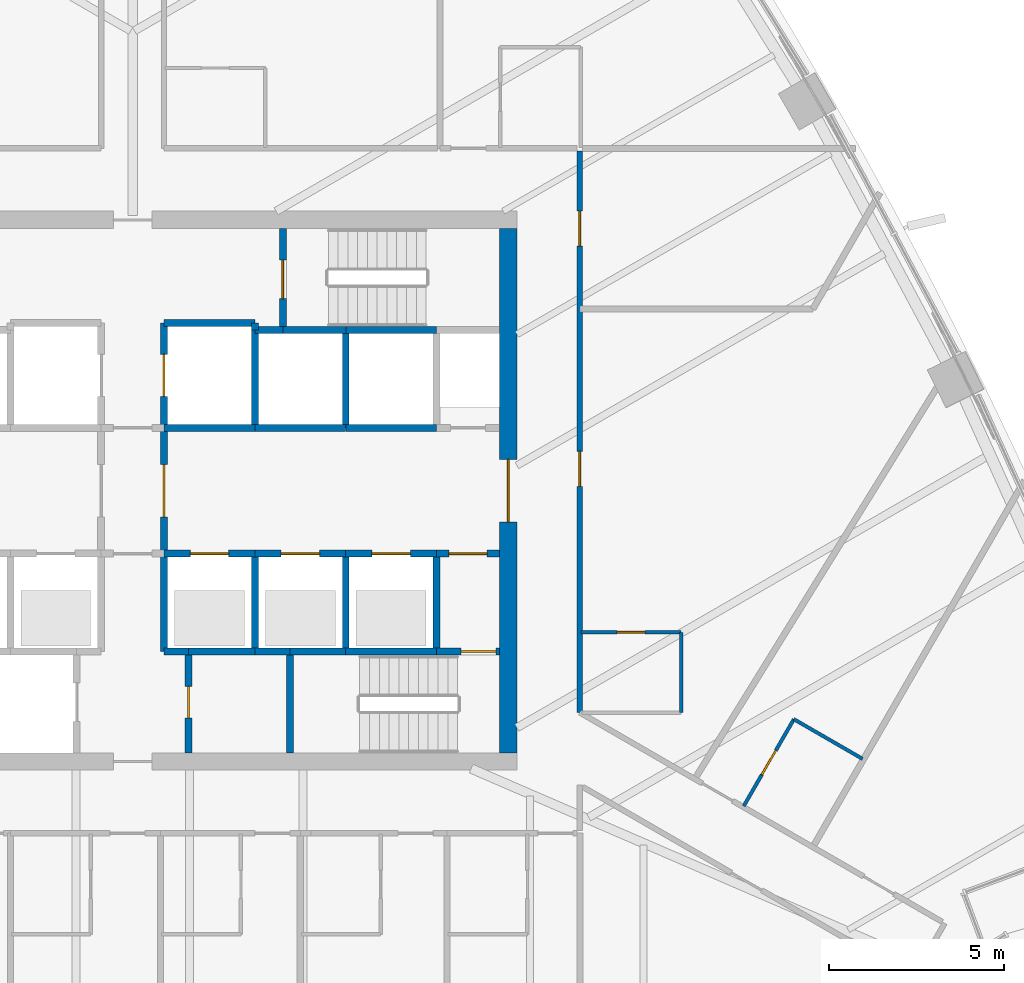
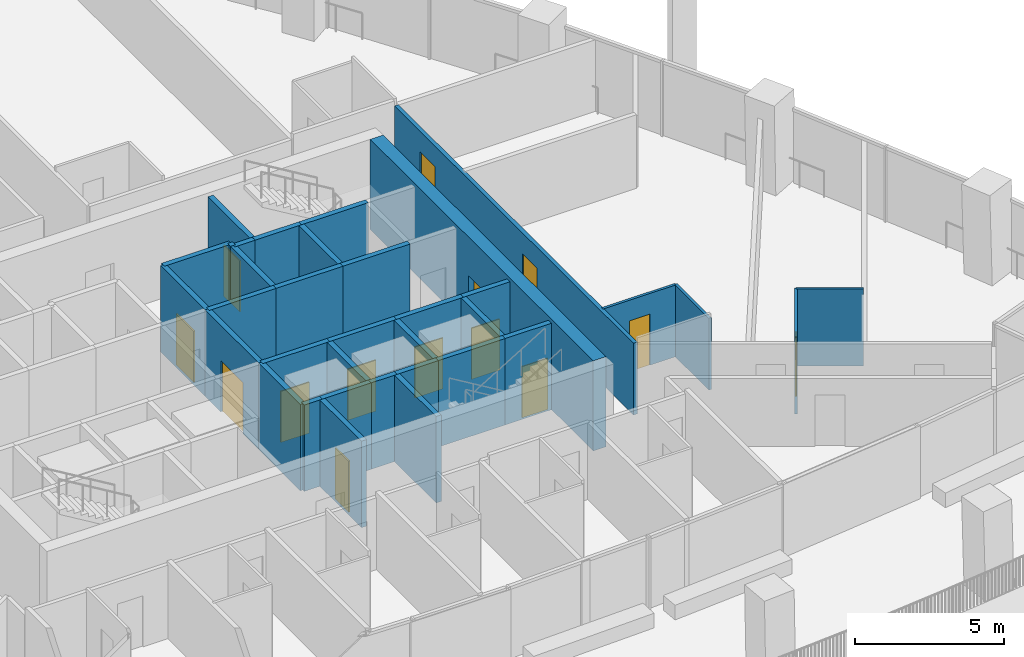
# One storey, part 13 of 25: 35 walls, 14 doors, 14 openings.
"""IFC4 building model written with IfcOpenShell, lengths in metres."""

import ifcopenshell
import ifcopenshell.guid

model = None  # the IFC model being written
_history = None  # IfcOwnerHistory: only IFC2X3 demands one
_inside = {}  # id of a spatial element -> (the spatial element, [elements in it])
_under = {}  # id of a project, library or spatial element -> (it, [spatial elements below it])
_declared = {}  # id of a project -> (the project, [libraries it declares])
_typed = {}  # id of a type object -> (the type object, [elements of that type])
_made_of = {}  # id of a material, layer set ... -> (it, [elements and type objects made of it])


def new_model(schema):
    """Start an empty IFC model of exactly this schema.

    Asked for "IFC4X3", IfcOpenShell would pick the latest addendum, in which some entities
    have other attributes; the version numbers below select the first issue.
    IFC2X3 requires an IfcOwnerHistory on every rooted entity: one is made here for all.
    """
    global model, _history
    if schema == "IFC4X3":
        model = ifcopenshell.file(schema_version=(4, 3, 0, 0))
    else:
        model = ifcopenshell.file(schema=schema)
    _inside.clear()
    _under.clear()
    _declared.clear()
    _typed.clear()
    _made_of.clear()
    _history = None
    if model.schema == "IFC2X3":
        org = make("IfcOrganization", Name="unknown")
        user = make(
            "IfcPersonAndOrganization",
            ThePerson=make("IfcPerson", FamilyName="unknown"),
            TheOrganization=org,
        )
        app = make(
            "IfcApplication",
            ApplicationDeveloper=org,
            Version="unknown",
            ApplicationFullName="unknown",
            ApplicationIdentifier="unknown",
        )
        _history = make(
            "IfcOwnerHistory",
            OwningUser=user,
            OwningApplication=app,
            ChangeAction="ADDED",
            CreationDate=0,
        )
    return model


def make(cls, **values):
    """One entity of the class cls with the attributes given. An attribute that is None is left unset."""
    return model.create_entity(
        cls, **{name: value for name, value in values.items() if value is not None}
    )


def rooted(cls, **values):
    """An entity with a GlobalId (a new one), such as an element, a storey or a relation."""
    return make(cls, GlobalId=ifcopenshell.guid.new(), OwnerHistory=_history, **values)


def si_unit(unit_type, name, prefix=None):
    """IfcSIUnit, for example si_unit("LENGTHUNIT", "METRE", prefix="MILLI")."""
    return make("IfcSIUnit", UnitType=unit_type, Prefix=prefix, Name=name)


def assignment(units):
    """IfcUnitAssignment: the units of a project."""
    return None if units is None else make("IfcUnitAssignment", Units=units)


def point(xyz):
    """IfcCartesianPoint."""
    return None if xyz is None else make("IfcCartesianPoint", Coordinates=xyz)


def direction(xyz):
    """IfcDirection."""
    return None if xyz is None else make("IfcDirection", DirectionRatios=xyz)


def frame(location, z_axis=None, x_axis=None):
    """IfcAxis2Placement3D, a coordinate frame: its origin and axes. An axis left out is left unset."""
    return make(
        "IfcAxis2Placement3D",
        Location=point(location),
        Axis=direction(z_axis),
        RefDirection=direction(x_axis),
    )


def frame_2d(location, x_axis=None):
    """IfcAxis2Placement2D, a coordinate frame in the plane: its origin and x axis."""
    return make(
        "IfcAxis2Placement2D", Location=point(location), RefDirection=direction(x_axis)
    )


def origin():
    """The frame at (0, 0, 0) with its axes left unset."""
    return frame((0.0, 0.0, 0.0))


def place(relative_to, where):
    """IfcLocalPlacement: puts the frame where relative to a parent placement (None: the world)."""
    return make(
        "IfcLocalPlacement", PlacementRelTo=relative_to, RelativePlacement=where
    )


def context(
    kind, dimensions, precision=None, world=None, true_north=None, identifier=None
):
    """IfcGeometricRepresentationContext, for example the 3D "Model" context."""
    return make(
        "IfcGeometricRepresentationContext",
        ContextIdentifier=identifier,
        ContextType=kind,
        CoordinateSpaceDimension=dimensions,
        Precision=precision,
        WorldCoordinateSystem=world,
        TrueNorth=true_north,
    )


def subcontext(parent, identifier, kind, view, scale=None):
    """IfcGeometricRepresentationSubContext, for example "Body" below "Model"."""
    return make(
        "IfcGeometricRepresentationSubContext",
        ContextIdentifier=identifier,
        ContextType=kind,
        ParentContext=parent,
        TargetScale=scale,
        TargetView=view,
    )


def project(units=None, contexts=None):
    """IfcProject with its units and contexts."""
    return rooted(
        "IfcProject",
        Name="project",
        RepresentationContexts=contexts,
        UnitsInContext=assignment(units),
    )


def spatial(cls, under=None, at=None, **own):
    """A site, building, storey or space (cls), placed at a placement, below another one or the project."""
    s = rooted(cls, ObjectPlacement=at, **own)
    if under is not None:
        _under.setdefault(under.id(), (under, []))[1].append(s)
    return s


def profile(cls, at=None, kind="AREA", **sizes):
    """A parametric profile (cls). Its sizes go by their IFC names, for example OverallWidth=200.0."""
    return make(cls, ProfileType=kind, Position=at, **sizes)


def rectangle(**sizes):
    """IfcRectangleProfileDef."""
    return profile("IfcRectangleProfileDef", **sizes)


def extrude(swept, where, along, depth):
    """IfcExtrudedAreaSolid: the profile swept, set in the frame where, extruded along a direction by depth."""
    return make(
        "IfcExtrudedAreaSolid",
        SweptArea=swept,
        Position=where,
        ExtrudedDirection=direction(along),
        Depth=depth,
    )


def shape(context_of_items, identifier, shape_type, items):
    """IfcShapeRepresentation: the items that make up one representation, for example the "Body"."""
    return make(
        "IfcShapeRepresentation",
        ContextOfItems=context_of_items,
        RepresentationIdentifier=identifier,
        RepresentationType=shape_type,
        Items=items,
    )


def material(Name=None, Category=None):
    """IfcMaterial."""
    return make("IfcMaterial", Name=Name, Category=Category)


def layer(
    of_material, thickness, ventilated=None, Name=None, Category=None, Priority=None
):
    """IfcMaterialLayer: one layer of a wall or slab, of a material (None: an air gap)."""
    return make(
        "IfcMaterialLayer",
        Material=of_material,
        LayerThickness=thickness,
        IsVentilated=ventilated,
        Name=Name,
        Category=Category,
        Priority=Priority,
    )


def layer_set(layers, Name=None):
    """IfcMaterialLayerSet."""
    return make("IfcMaterialLayerSet", MaterialLayers=layers, LayerSetName=Name)


def made_of(thing, what):
    """Note that an element or type object is made of a material, layer set ...; save() writes the relation."""
    if what is not None:
        _made_of.setdefault(what.id(), (what, []))[1].append(thing)
    return thing


def type_object(cls, material=None, **own):
    """A type object (cls), such as IfcWallType, which elements share."""
    return made_of(rooted(cls, **own), material)


def element(
    cls,
    number,
    at=None,
    inside=None,
    cuts=None,
    type_object=None,
    material=None,
    context=None,
    identifier="Body",
    shape_type=None,
    held_by="IfcProductDefinitionShape",
    body=None,
    shapes=None,
    **own,
):
    """One element of the class cls, such as IfcWall. Its Tag is "e" and its number.

    at: its placement. inside: the storey or other place that contains it. cuts: it is an
    opening in that element (IfcRelVoidsElement). A single representation is given by context,
    identifier, shape_type and body (its items); several are given by shapes. held_by: the class
    of the entity that holds the representations. save() writes the other relations.
    """
    e = rooted(cls, Tag="e%d" % number, ObjectPlacement=at, **own)
    if body is not None:
        shapes = [shape(context, identifier, shape_type, body)]
    if shapes is not None:
        e.Representation = make(held_by, Representations=shapes)
    if inside is not None:
        _inside.setdefault(inside.id(), (inside, []))[1].append(e)
    if cuts is not None:
        rooted(
            "IfcRelVoidsElement", RelatingBuildingElement=cuts, RelatedOpeningElement=e
        )
    if type_object is not None:
        _typed.setdefault(type_object.id(), (type_object, []))[1].append(e)
    return made_of(e, material)


def fill(opening, filler):
    """IfcRelFillsElement: the door or window that sits in an opening."""
    return rooted(
        "IfcRelFillsElement",
        RelatingOpeningElement=opening,
        RelatedBuildingElement=filler,
    )


def aggregate(whole, parts):
    """IfcRelAggregates: a whole, such as a stair, and the parts it consists of."""
    return rooted("IfcRelAggregates", RelatingObject=whole, RelatedObjects=parts)


def save(model, path):
    """Write the relations noted so far, then the file.

    IfcRelAggregates (storeys below a building ...), IfcRelContainedInSpatialStructure (elements
    in a storey), IfcRelDefinesByType, IfcRelAssociatesMaterial and IfcRelDeclares: one each for
    every whole, place, type object, material and project.
    """
    for whole, parts in _under.values():
        aggregate(whole, parts)
    for where, things in _inside.values():
        rooted(
            "IfcRelContainedInSpatialStructure",
            RelatedElements=things,
            RelatingStructure=where,
        )
    for kind, things in _typed.values():
        rooted("IfcRelDefinesByType", RelatedObjects=things, RelatingType=kind)
    for what, things in _made_of.values():
        rooted("IfcRelAssociatesMaterial", RelatedObjects=things, RelatingMaterial=what)
    for by, libraries in _declared.values():
        rooted("IfcRelDeclares", RelatingContext=by, RelatedDefinitions=libraries)
    model.write(path)


model = new_model("IFC4")

# Units and contexts
model_context = context("Model", 3, precision=1e-05, world=origin(), true_north=direction((0.0, 1.0)))
body_context = subcontext(model_context, "Body", "Model", "MODEL_VIEW")
ifc_project = project(units=[si_unit("LENGTHUNIT", "METRE"), si_unit("AREAUNIT", "SQUARE_METRE"), si_unit("VOLUMEUNIT", "CUBIC_METRE"), si_unit("PLANEANGLEUNIT", "RADIAN"), si_unit("MASSUNIT", "GRAM", prefix="KILO")], contexts=[model_context])

# Site, building, storey
site_placement = place(None, origin())
site = spatial("IfcSite", under=ifc_project, at=site_placement, CompositionType="ELEMENT")
building_placement = place(site_placement, origin())
building = spatial("IfcBuilding", under=site, at=building_placement, Name="Sierra Prisma Convention Tower", CompositionType="ELEMENT")
storey_placement = place(building_placement, frame((0.0, 0.0, 88.699951171875)))
storey = spatial("IfcBuildingStorey", under=building, at=storey_placement, Name="L18", CompositionType="ELEMENT", Elevation=88.699951171875)

# Wall, opening, door
ifc_material_1 = material(Name="Gypsum board partition", Category="gypsum")
ifc_layer_1 = layer(ifc_material_1, 0.10009765625)
ifc_layer_set_1 = layer_set([ifc_layer_1], Name="Bathroom partition 100")
wall_type_1 = type_object("IfcWallType", Name="Bathroom partition 100", PredefinedType="PARTITIONING", material=ifc_layer_set_1)
wall_1_placement = place(storey_placement, frame((12.830078125, -4.05078125, 0.0), z_axis=(0.0, 0.0, 1.0), x_axis=(1.0, 0.0, 0.0)))
wall_1 = element("IfcWall", 1, at=wall_1_placement, inside=storey, type_object=wall_type_1, Name="Partition L18 bath 29", PredefinedType="PARTITIONING", context=body_context, shape_type="SweptSolid", body=[
    extrude(rectangle(XDim=2.869873046875, YDim=0.10009765625, at=frame_2d((1.43505859375, 0.0))), origin(), (0.0, 0.0, 1.0), 2.947021484375),
])
opening_1_placement = place(wall_1_placement, frame((1.034912109375, 0.0, 0.0)))
opening_1 = element("IfcOpeningElement", 2, at=opening_1_placement, cuts=wall_1, Name="Opening L18-D004", PredefinedType="OPENING", context=body_context, shape_type="SweptSolid", body=[
    extrude(rectangle(XDim=0.800048828125, YDim=2.10009765625, at=frame_2d((0.39990234375, 1.050048828125))), frame((0.0, 0.050048828125, 0.0), z_axis=(0.0, -1.0, 0.0), x_axis=(1.0, 0.0, 0.0)), (0.0, 0.0, 1.0), 0.10009765625),
])
ifc_material_2 = material(Name="Solid core timber door leaf", Category="wood")
door_type_1 = type_object("IfcDoorType", Name="Door 800x2100 plain", OperationType="SINGLE_SWING_LEFT", PredefinedType="DOOR", material=ifc_material_2)
door_1_placement = place(opening_1_placement, origin())
door_1 = element("IfcDoor", 3, at=door_1_placement, inside=storey, type_object=door_type_1, Name="Door L18 2", OperationType="SINGLE_SWING_RIGHT", OverallHeight=2.10009765625, OverallWidth=0.800048828125, PredefinedType="DOOR", context=body_context, shape_type="SweptSolid", body=[
    extrude(rectangle(XDim=0.800048828125, YDim=2.10009765625, at=frame_2d((0.39990234375, 1.050048828125))), frame((0.0, 0.02490234375, 0.0), z_axis=(0.0, -1.0, 0.0), x_axis=(1.0, 0.0, 0.0)), (0.0, 0.0, 1.0), 0.050048828125),
])
fill(opening_1, door_1)

# Wall
wall_2_placement = place(storey_placement, frame((15.699951171875, -4.05078125, 0.0), z_axis=(0.0, 0.0, 1.0), x_axis=(0.0, -1.0, 0.0)))
element("IfcWall", 4, at=wall_2_placement, inside=storey, type_object=wall_type_1, Name="Partition L18 bath 30", PredefinedType="PARTITIONING", context=body_context, shape_type="SweptSolid", body=[
    extrude(rectangle(XDim=2.300048828125, YDim=0.10009765625, at=frame_2d((1.14990234375, 0.0))), origin(), (0.0, 0.0, 1.0), 2.947021484375),
])

# Wall, opening, door
wall_3_placement = place(storey_placement, frame((17.491455078125, -9.02490234375, 0.0), z_axis=(0.0, 0.0, 1.0), x_axis=(0.499999802827, 0.866025517622, 0.0)))
wall_3 = element("IfcWall", 5, at=wall_3_placement, inside=storey, type_object=wall_type_1, Name="Partition L18 bath 32", PredefinedType="PARTITIONING", context=body_context, shape_type="SweptSolid", body=[
    extrude(rectangle(XDim=2.8701171875, YDim=0.10009765625, at=frame_2d((1.43505859375, 0.0))), origin(), (0.0, 0.0, 1.0), 3.150146484375),
])
opening_2_placement = place(wall_3_placement, frame((1.034912109375, 0.0, 0.0)))
opening_2 = element("IfcOpeningElement", 6, at=opening_2_placement, cuts=wall_3, Name="Opening L18-D018", PredefinedType="OPENING", context=body_context, shape_type="SweptSolid", body=[
    extrude(rectangle(XDim=0.800048828125, YDim=2.10009765625, at=frame_2d((0.39990234375, 1.050048828125))), frame((0.0, 0.050048828125, 0.0), z_axis=(0.0, -1.0, 0.0), x_axis=(1.0, 0.0, 0.0)), (0.0, 0.0, 1.0), 0.10009765625),
])
door_2_placement = place(opening_2_placement, origin())
door_2 = element("IfcDoor", 7, at=door_2_placement, inside=storey, type_object=door_type_1, Name="Door L18 34", OperationType="SINGLE_SWING_RIGHT", OverallHeight=2.10009765625, OverallWidth=0.800048828125, PredefinedType="DOOR", context=body_context, shape_type="SweptSolid", body=[
    extrude(rectangle(XDim=0.800048828125, YDim=2.10009765625, at=frame_2d((0.39990234375, 1.050048828125))), frame((0.0, 0.02490234375, 0.0), z_axis=(0.0, -1.0, 0.0), x_axis=(1.0, 0.0, 0.0)), (0.0, 0.0, 1.0), 0.050048828125),
])
fill(opening_2, door_2)

# Wall
wall_4_placement = place(storey_placement, frame((18.926513671875, -6.539306640625, 0.0), z_axis=(0.0, 0.0, 1.0), x_axis=(0.866017224141, -0.500014167291, 0.0)))
element("IfcWall", 8, at=wall_4_placement, inside=storey, type_object=wall_type_1, Name="Partition L18 bath 33", PredefinedType="PARTITIONING", context=body_context, shape_type="SweptSolid", body=[
    extrude(rectangle(XDim=2.27001953125, YDim=0.10009765625, at=frame_2d((1.135009765625, 0.0))), origin(), (0.0, 0.0, 1.0), 3.150146484375),
])

# Wall, opening, door
ifc_material_3 = material(Name="Concrete C30/37", Category="concrete")
ifc_layer_2 = layer(ifc_material_3, 0.199951171875)
ifc_layer_set_2 = layer_set([ifc_layer_2], Name="Core wall RC 200 C30/37")
wall_type_2 = type_object("IfcWallType", Name="Core wall RC 200 C30/37", PredefinedType="SOLIDWALL", material=ifc_layer_set_2)
wall_5_placement = place(storey_placement, frame((0.89990234375, -1.800048828125, 0.0), z_axis=(0.0, 0.0, 1.0), x_axis=(1.0, 0.0, 0.0)))
wall_5 = element("IfcWall", 9, at=wall_5_placement, inside=storey, type_object=wall_type_2, Name="Core wall L18 35", PredefinedType="SOLIDWALL", context=body_context, shape_type="SweptSolid", body=[
    extrude(rectangle(XDim=2.60009765625, YDim=0.199951171875, at=frame_2d((1.300048828125, 0.0))), origin(), (0.0, 0.0, 1.0), 3.550048828125),
])
opening_3_placement = place(wall_5_placement, frame((0.75, 0.0, 0.0)))
opening_3 = element("IfcOpeningElement", 10, at=opening_3_placement, cuts=wall_5, Name="Opening L18-D022", PredefinedType="OPENING", context=body_context, shape_type="SweptSolid", body=[
    extrude(rectangle(XDim=1.10009765625, YDim=2.10009765625, at=frame_2d((0.550048828125, 1.050048828125))), frame((0.0, 0.10009765625, 0.0), z_axis=(0.0, -1.0, 0.0), x_axis=(1.0, 0.0, 0.0)), (0.0, 0.0, 1.0), 0.199951171875),
])
ifc_material_4 = material(Name="Steel fire door leaf", Category="steel")
door_type_2 = type_object("IfcDoorType", Name="Door 1100x2100 EI 90 sliding lift landing", OperationType="SLIDING_TO_LEFT", PredefinedType="DOOR", material=ifc_material_4)
door_3_placement = place(opening_3_placement, origin())
door_3 = element("IfcDoor", 11, at=door_3_placement, inside=storey, type_object=door_type_2, Name="Door L18 38", OperationType="SLIDING_TO_RIGHT", OverallHeight=2.10009765625, OverallWidth=1.10009765625, PredefinedType="DOOR", context=body_context, shape_type="SweptSolid", body=[
    extrude(rectangle(XDim=1.10009765625, YDim=2.10009765625, at=frame_2d((0.550048828125, 1.050048828125))), frame((0.0, 0.02490234375, 0.0), z_axis=(0.0, -1.0, 0.0), x_axis=(1.0, 0.0, 0.0)), (0.0, 0.0, 1.0), 0.050048828125),
])
fill(opening_3, door_3)

wall_6_placement = place(storey_placement, frame((0.89990234375, -1.800048828125, 0.0), z_axis=(0.0, 0.0, 1.0), x_axis=(0.0, 1.0, 0.0)))
wall_6 = element("IfcWall", 12, at=wall_6_placement, inside=storey, type_object=wall_type_2, Name="Core wall L18 36", PredefinedType="SOLIDWALL", context=body_context, shape_type="SweptSolid", body=[
    extrude(rectangle(XDim=3.60009765625, YDim=0.199951171875, at=frame_2d((1.800048828125, 0.0))), origin(), (0.0, 0.0, 1.0), 3.550048828125),
])
opening_4_placement = place(wall_6_placement, frame((1.050048828125, 0.0, 0.0)))
opening_4 = element("IfcOpeningElement", 13, at=opening_4_placement, cuts=wall_6, Name="Opening L18-D029", PredefinedType="OPENING", context=body_context, shape_type="SweptSolid", body=[
    extrude(rectangle(XDim=1.5, YDim=2.10009765625, at=frame_2d((0.75, 1.050048828125))), frame((0.0, 0.10009765625, 0.0), z_axis=(0.0, -1.0, 0.0), x_axis=(1.0, 0.0, 0.0)), (0.0, 0.0, 1.0), 0.199951171875),
])
ifc_material_5 = material(Name="Steel fire door leaf", Category="steel")
door_type_3 = type_object("IfcDoorType", Name="Door 1500x2100 FD30S", OperationType="DOUBLE_DOOR_SINGLE_SWING", PredefinedType="DOOR", material=ifc_material_5)
door_4_placement = place(opening_4_placement, origin())
door_4 = element("IfcDoor", 14, at=door_4_placement, inside=storey, type_object=door_type_3, Name="Door L18 45", OperationType="DOUBLE_DOOR_SINGLE_SWING", OverallHeight=2.10009765625, OverallWidth=1.5, PredefinedType="DOOR", context=body_context, shape_type="SweptSolid", body=[
    extrude(rectangle(XDim=1.5, YDim=2.10009765625, at=frame_2d((0.75, 1.050048828125))), frame((0.0, 0.02490234375, 0.0), z_axis=(0.0, -1.0, 0.0), x_axis=(1.0, 0.0, 0.0)), (0.0, 0.0, 1.0), 0.050048828125),
])
fill(opening_4, door_4)

# Walls
wall_7_placement = place(storey_placement, frame((0.89990234375, -1.800048828125, 0.0), z_axis=(0.0, 0.0, 1.0), x_axis=(0.0, -1.0, 0.0)))
element("IfcWall", 15, at=wall_7_placement, inside=storey, type_object=wall_type_2, Name="Core wall L18 37", PredefinedType="SOLIDWALL", context=body_context, shape_type="SweptSolid", body=[
    extrude(rectangle(XDim=2.800048828125, YDim=0.199951171875, at=frame_2d((1.39990234375, 0.0))), origin(), (0.0, 0.0, 1.0), 3.550048828125),
])
wall_8_placement = place(storey_placement, frame((0.89990234375, -4.60009765625, 0.0), z_axis=(0.0, 0.0, 1.0), x_axis=(1.0, 0.0, 0.0)))
element("IfcWall", 16, at=wall_8_placement, inside=storey, type_object=wall_type_2, Name="Core wall L18 38", PredefinedType="SOLIDWALL", context=body_context, shape_type="SweptSolid", body=[
    extrude(rectangle(XDim=0.7001953125, YDim=0.199951171875, at=frame_2d((0.35009765625, 0.0))), origin(), (0.0, 0.0, 1.0), 3.550048828125),
])
wall_9_placement = place(storey_placement, frame((3.5, 1.800048828125, 0.0), z_axis=(0.0, 0.0, 1.0), x_axis=(-1.0, 0.0, 0.0)))
element("IfcWall", 17, at=wall_9_placement, inside=storey, type_object=wall_type_2, Name="Core wall L18 39", PredefinedType="SOLIDWALL", context=body_context, shape_type="SweptSolid", body=[
    extrude(rectangle(XDim=2.60009765625, YDim=0.199951171875, at=frame_2d((1.300048828125, 0.0))), origin(), (0.0, 0.0, 1.0), 3.550048828125),
])
wall_10_placement = place(storey_placement, frame((3.5, 4.60009765625, 0.0), z_axis=(0.0, 0.0, 1.0), x_axis=(0.0, 1.0, 0.0)))
element("IfcWall", 18, at=wall_10_placement, inside=storey, type_object=wall_type_2, Name="Core wall L18 40", PredefinedType="SOLIDWALL", context=body_context, shape_type="SweptSolid", body=[
    extrude(rectangle(XDim=0.199951171875, YDim=0.199951171875, at=frame_2d((0.10009765625, 0.0))), origin(), (0.0, 0.0, 1.0), 3.550048828125),
])
wall_11_placement = place(storey_placement, frame((3.5, 4.800048828125, 0.0), z_axis=(0.0, 0.0, 1.0), x_axis=(-1.0, 0.0, 0.0)))
element("IfcWall", 19, at=wall_11_placement, inside=storey, type_object=wall_type_2, Name="Core wall L18 41", PredefinedType="SOLIDWALL", context=body_context, shape_type="SweptSolid", body=[
    extrude(rectangle(XDim=2.60009765625, YDim=0.199951171875, at=frame_2d((1.300048828125, 0.0))), origin(), (0.0, 0.0, 1.0), 3.550048828125),
])

# Wall, opening, door
wall_12_placement = place(storey_placement, frame((0.89990234375, 4.800048828125, 0.0), z_axis=(0.0, 0.0, 1.0), x_axis=(0.0, -1.0, 0.0)))
wall_12 = element("IfcWall", 20, at=wall_12_placement, inside=storey, type_object=wall_type_2, Name="Core wall L18 42", PredefinedType="SOLIDWALL", context=body_context, shape_type="SweptSolid", body=[
    extrude(rectangle(XDim=3.0, YDim=0.199951171875, at=frame_2d((1.5, 0.0))), origin(), (0.0, 0.0, 1.0), 3.550048828125),
])
opening_5_placement = place(wall_12_placement, frame((0.89990234375, 0.0, 0.0)))
opening_5 = element("IfcOpeningElement", 21, at=opening_5_placement, cuts=wall_12, Name="Opening L18-D026", PredefinedType="OPENING", context=body_context, shape_type="SweptSolid", body=[
    extrude(rectangle(XDim=1.199951171875, YDim=2.10009765625, at=frame_2d((0.60009765625, 1.050048828125))), frame((0.0, 0.10009765625, 0.0), z_axis=(0.0, -1.0, 0.0), x_axis=(1.0, 0.0, 0.0)), (0.0, 0.0, 1.0), 0.199951171875),
])
ifc_material_6 = material(Name="Steel fire door leaf", Category="steel")
door_type_4 = type_object("IfcDoorType", Name="Door 1200x2100 EI 90 sliding lift landing", OperationType="SLIDING_TO_LEFT", PredefinedType="DOOR", material=ifc_material_6)
door_5_placement = place(opening_5_placement, origin())
door_5 = element("IfcDoor", 22, at=door_5_placement, inside=storey, type_object=door_type_4, Name="Door L18 42", OperationType="SLIDING_TO_LEFT", OverallHeight=2.10009765625, OverallWidth=1.199951171875, PredefinedType="DOOR", context=body_context, shape_type="SweptSolid", body=[
    extrude(rectangle(XDim=1.199951171875, YDim=2.10009765625, at=frame_2d((0.60009765625, 1.050048828125))), frame((0.0, 0.02490234375, 0.0), z_axis=(0.0, -1.0, 0.0), x_axis=(1.0, 0.0, 0.0)), (0.0, 0.0, 1.0), 0.050048828125),
])
fill(opening_5, door_5)

wall_13_placement = place(storey_placement, frame((1.60009765625, -4.60009765625, 0.0), z_axis=(0.0, 0.0, 1.0), x_axis=(0.0, -1.0, 0.0)))
wall_13 = element("IfcWall", 23, at=wall_13_placement, inside=storey, type_object=wall_type_2, Name="Core wall L18 43", PredefinedType="SOLIDWALL", context=body_context, shape_type="SweptSolid", body=[
    extrude(rectangle(XDim=2.89990234375, YDim=0.199951171875, at=frame_2d((1.449951171875, 0.0))), origin(), (0.0, 0.0, 1.0), 3.550048828125),
])
opening_6_placement = place(wall_13_placement, frame((1.0, 0.0, 0.0)))
opening_6 = element("IfcOpeningElement", 24, at=opening_6_placement, cuts=wall_13, Name="Opening L18-D040", PredefinedType="OPENING", context=body_context, shape_type="SweptSolid", body=[
    extrude(rectangle(XDim=0.89990234375, YDim=2.10009765625, at=frame_2d((0.449951171875, 1.050048828125))), frame((0.0, 0.10009765625, 0.0), z_axis=(0.0, -1.0, 0.0), x_axis=(1.0, 0.0, 0.0)), (0.0, 0.0, 1.0), 0.199951171875),
])
ifc_material_7 = material(Name="Steel fire door leaf", Category="steel")
door_type_5 = type_object("IfcDoorType", Name="Door 900x2100 FD30S", OperationType="SINGLE_SWING_LEFT", PredefinedType="DOOR", material=ifc_material_7)
door_6_placement = place(opening_6_placement, origin())
door_6 = element("IfcDoor", 25, at=door_6_placement, inside=storey, type_object=door_type_5, Name="Door L18 56", OperationType="SINGLE_SWING_RIGHT", OverallHeight=2.10009765625, OverallWidth=0.89990234375, PredefinedType="DOOR", context=body_context, shape_type="SweptSolid", body=[
    extrude(rectangle(XDim=0.89990234375, YDim=2.10009765625, at=frame_2d((0.449951171875, 1.050048828125))), frame((0.0, 0.02490234375, 0.0), z_axis=(0.0, -1.0, 0.0), x_axis=(1.0, 0.0, 0.0)), (0.0, 0.0, 1.0), 0.050048828125),
])
fill(opening_6, door_6)

# Walls
wall_14_placement = place(storey_placement, frame((3.5, -4.60009765625, 0.0), z_axis=(0.0, 0.0, 1.0), x_axis=(-1.0, 0.0, 0.0)))
element("IfcWall", 26, at=wall_14_placement, inside=storey, type_object=wall_type_2, Name="Core wall L18 44", PredefinedType="SOLIDWALL", context=body_context, shape_type="SweptSolid", body=[
    extrude(rectangle(XDim=1.89990234375, YDim=0.199951171875, at=frame_2d((0.949951171875, 0.0))), origin(), (0.0, 0.0, 1.0), 3.550048828125),
])
wall_15_placement = place(storey_placement, frame((4.5, -4.60009765625, 0.0), z_axis=(0.0, 0.0, 1.0), x_axis=(-1.0, 0.0, 0.0)))
element("IfcWall", 27, at=wall_15_placement, inside=storey, type_object=wall_type_2, Name="Core wall L18 45", PredefinedType="SOLIDWALL", context=body_context, shape_type="SweptSolid", body=[
    extrude(rectangle(XDim=1.0, YDim=0.199951171875, at=frame_2d((0.5, 0.0))), origin(), (0.0, 0.0, 1.0), 3.550048828125),
])
wall_16_placement = place(storey_placement, frame((3.5, -4.60009765625, 0.0), z_axis=(0.0, 0.0, 1.0), x_axis=(0.0, 1.0, 0.0)))
element("IfcWall", 28, at=wall_16_placement, inside=storey, type_object=wall_type_2, Name="Core wall L18 46", PredefinedType="SOLIDWALL", context=body_context, shape_type="SweptSolid", body=[
    extrude(rectangle(XDim=2.800048828125, YDim=0.199951171875, at=frame_2d((1.39990234375, 0.0))), origin(), (0.0, 0.0, 1.0), 3.550048828125),
])

# Wall, opening, door
wall_17_placement = place(storey_placement, frame((3.5, -1.800048828125, 0.0), z_axis=(0.0, 0.0, 1.0), x_axis=(1.0, 0.0, 0.0)))
wall_17 = element("IfcWall", 29, at=wall_17_placement, inside=storey, type_object=wall_type_2, Name="Core wall L18 47", PredefinedType="SOLIDWALL", context=body_context, shape_type="SweptSolid", body=[
    extrude(rectangle(XDim=2.60009765625, YDim=0.199951171875, at=frame_2d((1.300048828125, 0.0))), origin(), (0.0, 0.0, 1.0), 3.550048828125),
])
opening_7_placement = place(wall_17_placement, frame((0.75, 0.0, 0.0)))
opening_7 = element("IfcOpeningElement", 30, at=opening_7_placement, cuts=wall_17, Name="Opening L18-D023", PredefinedType="OPENING", context=body_context, shape_type="SweptSolid", body=[
    extrude(rectangle(XDim=1.10009765625, YDim=2.10009765625, at=frame_2d((0.550048828125, 1.050048828125))), frame((0.0, 0.10009765625, 0.0), z_axis=(0.0, -1.0, 0.0), x_axis=(1.0, 0.0, 0.0)), (0.0, 0.0, 1.0), 0.199951171875),
])
door_7_placement = place(opening_7_placement, origin())
door_7 = element("IfcDoor", 31, at=door_7_placement, inside=storey, type_object=door_type_2, Name="Door L18 39", OperationType="SLIDING_TO_LEFT", OverallHeight=2.10009765625, OverallWidth=1.10009765625, PredefinedType="DOOR", context=body_context, shape_type="SweptSolid", body=[
    extrude(rectangle(XDim=1.10009765625, YDim=2.10009765625, at=frame_2d((0.550048828125, 1.050048828125))), frame((0.0, 0.02490234375, 0.0), z_axis=(0.0, -1.0, 0.0), x_axis=(1.0, 0.0, 0.0)), (0.0, 0.0, 1.0), 0.050048828125),
])
fill(opening_7, door_7)

# Walls
wall_18_placement = place(storey_placement, frame((6.10009765625, 1.800048828125, 0.0), z_axis=(0.0, 0.0, 1.0), x_axis=(-1.0, 0.0, 0.0)))
element("IfcWall", 32, at=wall_18_placement, inside=storey, type_object=wall_type_2, Name="Core wall L18 48", PredefinedType="SOLIDWALL", context=body_context, shape_type="SweptSolid", body=[
    extrude(rectangle(XDim=2.60009765625, YDim=0.199951171875, at=frame_2d((1.300048828125, 0.0))), origin(), (0.0, 0.0, 1.0), 3.550048828125),
])
wall_19_placement = place(storey_placement, frame((3.5, 1.800048828125, 0.0), z_axis=(0.0, 0.0, 1.0), x_axis=(0.0, 1.0, 0.0)))
element("IfcWall", 33, at=wall_19_placement, inside=storey, type_object=wall_type_2, Name="Core wall L18 49", PredefinedType="SOLIDWALL", context=body_context, shape_type="SweptSolid", body=[
    extrude(rectangle(XDim=2.800048828125, YDim=0.199951171875, at=frame_2d((1.39990234375, 0.0))), origin(), (0.0, 0.0, 1.0), 3.550048828125),
])
wall_20_placement = place(storey_placement, frame((4.300048828125, 4.60009765625, 0.0), z_axis=(0.0, 0.0, 1.0), x_axis=(-1.0, 0.0, 0.0)))
element("IfcWall", 34, at=wall_20_placement, inside=storey, type_object=wall_type_2, Name="Core wall L18 50", PredefinedType="SOLIDWALL", context=body_context, shape_type="SweptSolid", body=[
    extrude(rectangle(XDim=0.800048828125, YDim=0.199951171875, at=frame_2d((0.39990234375, 0.0))), origin(), (0.0, 0.0, 1.0), 3.550048828125),
])
wall_21_placement = place(storey_placement, frame((6.10009765625, 4.60009765625, 0.0), z_axis=(0.0, 0.0, 1.0), x_axis=(-1.0, 0.0, 0.0)))
element("IfcWall", 35, at=wall_21_placement, inside=storey, type_object=wall_type_2, Name="Core wall L18 51", PredefinedType="SOLIDWALL", context=body_context, shape_type="SweptSolid", body=[
    extrude(rectangle(XDim=1.800048828125, YDim=0.199951171875, at=frame_2d((0.89990234375, 0.0))), origin(), (0.0, 0.0, 1.0), 3.550048828125),
])

# Wall, opening, door
wall_22_placement = place(storey_placement, frame((4.300048828125, 7.5, 0.0), z_axis=(0.0, 0.0, 1.0), x_axis=(0.0, -1.0, 0.0)))
wall_22 = element("IfcWall", 36, at=wall_22_placement, inside=storey, type_object=wall_type_2, Name="Core wall L18 52", PredefinedType="SOLIDWALL", context=body_context, shape_type="SweptSolid", body=[
    extrude(rectangle(XDim=2.89990234375, YDim=0.199951171875, at=frame_2d((1.449951171875, 0.0))), origin(), (0.0, 0.0, 1.0), 3.550048828125),
])
opening_8_placement = place(wall_22_placement, frame((0.89990234375, 0.0, 0.0)))
opening_8 = element("IfcOpeningElement", 37, at=opening_8_placement, cuts=wall_22, Name="Opening L18-D039", PredefinedType="OPENING", context=body_context, shape_type="SweptSolid", body=[
    extrude(rectangle(XDim=1.10009765625, YDim=2.10009765625, at=frame_2d((0.550048828125, 1.050048828125))), frame((0.0, 0.10009765625, 0.0), z_axis=(0.0, -1.0, 0.0), x_axis=(1.0, 0.0, 0.0)), (0.0, 0.0, 1.0), 0.199951171875),
])
ifc_material_8 = material(Name="Steel fire door leaf", Category="steel")
door_type_6 = type_object("IfcDoorType", Name="Door 1100x2100 FD90S", OperationType="SINGLE_SWING_LEFT", PredefinedType="DOOR", material=ifc_material_8)
door_8_placement = place(opening_8_placement, origin())
door_8 = element("IfcDoor", 38, at=door_8_placement, inside=storey, type_object=door_type_6, Name="Door L18 55", OperationType="SINGLE_SWING_LEFT", OverallHeight=2.10009765625, OverallWidth=1.10009765625, PredefinedType="DOOR", context=body_context, shape_type="SweptSolid", body=[
    extrude(rectangle(XDim=1.10009765625, YDim=2.10009765625, at=frame_2d((0.550048828125, 1.050048828125))), frame((0.0, 0.02490234375, 0.0), z_axis=(0.0, -1.0, 0.0), x_axis=(1.0, 0.0, 0.0)), (0.0, 0.0, 1.0), 0.050048828125),
])
fill(opening_8, door_8)

# Walls
wall_23_placement = place(storey_placement, frame((4.5, -7.5, 0.0), z_axis=(0.0, 0.0, 1.0), x_axis=(0.0, 1.0, 0.0)))
element("IfcWall", 39, at=wall_23_placement, inside=storey, type_object=wall_type_2, Name="Core wall L18 53", PredefinedType="SOLIDWALL", context=body_context, shape_type="SweptSolid", body=[
    extrude(rectangle(XDim=2.89990234375, YDim=0.199951171875, at=frame_2d((1.449951171875, 0.0))), origin(), (0.0, 0.0, 1.0), 3.550048828125),
])
wall_24_placement = place(storey_placement, frame((4.5, -4.60009765625, 0.0), z_axis=(0.0, 0.0, 1.0), x_axis=(1.0, 0.0, 0.0)))
element("IfcWall", 40, at=wall_24_placement, inside=storey, type_object=wall_type_2, Name="Core wall L18 54", PredefinedType="SOLIDWALL", context=body_context, shape_type="SweptSolid", body=[
    extrude(rectangle(XDim=1.60009765625, YDim=0.199951171875, at=frame_2d((0.800048828125, 0.0))), origin(), (0.0, 0.0, 1.0), 3.550048828125),
])
wall_25_placement = place(storey_placement, frame((6.10009765625, -4.60009765625, 0.0), z_axis=(0.0, 0.0, 1.0), x_axis=(1.0, 0.0, 0.0)))
element("IfcWall", 41, at=wall_25_placement, inside=storey, type_object=wall_type_2, Name="Core wall L18 55", PredefinedType="SOLIDWALL", context=body_context, shape_type="SweptSolid", body=[
    extrude(rectangle(XDim=2.599853515625, YDim=0.199951171875, at=frame_2d((1.2998046875, 0.0))), origin(), (0.0, 0.0, 1.0), 3.550048828125),
])
wall_26_placement = place(storey_placement, frame((6.10009765625, -4.60009765625, 0.0), z_axis=(0.0, 0.0, 1.0), x_axis=(0.0, 1.0, 0.0)))
element("IfcWall", 42, at=wall_26_placement, inside=storey, type_object=wall_type_2, Name="Core wall L18 56", PredefinedType="SOLIDWALL", context=body_context, shape_type="SweptSolid", body=[
    extrude(rectangle(XDim=2.800048828125, YDim=0.199951171875, at=frame_2d((1.39990234375, 0.0))), origin(), (0.0, 0.0, 1.0), 3.550048828125),
])

# Wall, opening, door
wall_27_placement = place(storey_placement, frame((6.10009765625, -1.800048828125, 0.0), z_axis=(0.0, 0.0, 1.0), x_axis=(1.0, 0.0, 0.0)))
wall_27 = element("IfcWall", 43, at=wall_27_placement, inside=storey, type_object=wall_type_2, Name="Core wall L18 57", PredefinedType="SOLIDWALL", context=body_context, shape_type="SweptSolid", body=[
    extrude(rectangle(XDim=2.599853515625, YDim=0.199951171875, at=frame_2d((1.2998046875, 0.0))), origin(), (0.0, 0.0, 1.0), 3.550048828125),
])
opening_9_placement = place(wall_27_placement, frame((0.75, 0.0, 0.0)))
opening_9 = element("IfcOpeningElement", 44, at=opening_9_placement, cuts=wall_27, Name="Opening L18-D024", PredefinedType="OPENING", context=body_context, shape_type="SweptSolid", body=[
    extrude(rectangle(XDim=1.10009765625, YDim=2.10009765625, at=frame_2d((0.550048828125, 1.050048828125))), frame((0.0, 0.10009765625, 0.0), z_axis=(0.0, -1.0, 0.0), x_axis=(1.0, 0.0, 0.0)), (0.0, 0.0, 1.0), 0.199951171875),
])
door_9_placement = place(opening_9_placement, origin())
door_9 = element("IfcDoor", 45, at=door_9_placement, inside=storey, type_object=door_type_2, Name="Door L18 40", OperationType="SLIDING_TO_LEFT", OverallHeight=2.10009765625, OverallWidth=1.10009765625, PredefinedType="DOOR", context=body_context, shape_type="SweptSolid", body=[
    extrude(rectangle(XDim=1.10009765625, YDim=2.10009765625, at=frame_2d((0.550048828125, 1.050048828125))), frame((0.0, 0.02490234375, 0.0), z_axis=(0.0, -1.0, 0.0), x_axis=(1.0, 0.0, 0.0)), (0.0, 0.0, 1.0), 0.050048828125),
])
fill(opening_9, door_9)

# Walls
wall_28_placement = place(storey_placement, frame((8.699951171875, 1.800048828125, 0.0), z_axis=(0.0, 0.0, 1.0), x_axis=(-1.0, 0.0, 0.0)))
element("IfcWall", 46, at=wall_28_placement, inside=storey, type_object=wall_type_2, Name="Core wall L18 58", PredefinedType="SOLIDWALL", context=body_context, shape_type="SweptSolid", body=[
    extrude(rectangle(XDim=2.599853515625, YDim=0.199951171875, at=frame_2d((1.2998046875, 0.0))), origin(), (0.0, 0.0, 1.0), 3.550048828125),
])
wall_29_placement = place(storey_placement, frame((6.10009765625, 1.800048828125, 0.0), z_axis=(0.0, 0.0, 1.0), x_axis=(0.0, 1.0, 0.0)))
element("IfcWall", 47, at=wall_29_placement, inside=storey, type_object=wall_type_2, Name="Core wall L18 59", PredefinedType="SOLIDWALL", context=body_context, shape_type="SweptSolid", body=[
    extrude(rectangle(XDim=2.800048828125, YDim=0.199951171875, at=frame_2d((1.39990234375, 0.0))), origin(), (0.0, 0.0, 1.0), 3.550048828125),
])
wall_30_placement = place(storey_placement, frame((8.699951171875, 4.60009765625, 0.0), z_axis=(0.0, 0.0, 1.0), x_axis=(-1.0, 0.0, 0.0)))
element("IfcWall", 48, at=wall_30_placement, inside=storey, type_object=wall_type_2, Name="Core wall L18 60", PredefinedType="SOLIDWALL", context=body_context, shape_type="SweptSolid", body=[
    extrude(rectangle(XDim=2.599853515625, YDim=0.199951171875, at=frame_2d((1.2998046875, 0.0))), origin(), (0.0, 0.0, 1.0), 3.550048828125),
])

# Wall, opening, door
wall_31_placement = place(storey_placement, frame((8.699951171875, -4.60009765625, 0.0), z_axis=(0.0, 0.0, 1.0), x_axis=(1.0, 0.0, 0.0)))
wall_31 = element("IfcWall", 49, at=wall_31_placement, inside=storey, type_object=wall_type_2, Name="Core wall L18 61", PredefinedType="SOLIDWALL", context=body_context, shape_type="SweptSolid", body=[
    extrude(rectangle(XDim=1.800048828125, YDim=0.199951171875, at=frame_2d((0.89990234375, 0.0))), origin(), (0.0, 0.0, 1.0), 3.550048828125),
])
opening_10_placement = place(wall_31_placement, frame((0.699951171875, 0.0, 0.0)))
opening_10 = element("IfcOpeningElement", 50, at=opening_10_placement, cuts=wall_31, Name="Opening L18-D037", PredefinedType="OPENING", context=body_context, shape_type="SweptSolid", body=[
    extrude(rectangle(XDim=1.0, YDim=2.10009765625, at=frame_2d((0.5, 1.050048828125))), frame((0.0, 0.10009765625, 0.0), z_axis=(0.0, -1.0, 0.0), x_axis=(1.0, 0.0, 0.0)), (0.0, 0.0, 1.0), 0.199951171875),
])
ifc_material_9 = material(Name="Steel fire door leaf", Category="steel")
door_type_7 = type_object("IfcDoorType", Name="Door 1000x2100 FD90S", OperationType="SINGLE_SWING_LEFT", PredefinedType="DOOR", material=ifc_material_9)
door_10_placement = place(opening_10_placement, origin())
door_10 = element("IfcDoor", 51, at=door_10_placement, inside=storey, type_object=door_type_7, Name="Door L18 53", OperationType="SINGLE_SWING_RIGHT", OverallHeight=2.10009765625, OverallWidth=1.0, PredefinedType="DOOR", context=body_context, shape_type="SweptSolid", body=[
    extrude(rectangle(XDim=1.0, YDim=2.10009765625, at=frame_2d((0.5, 1.050048828125))), frame((0.0, 0.02490234375, 0.0), z_axis=(0.0, -1.0, 0.0), x_axis=(1.0, 0.0, 0.0)), (0.0, 0.0, 1.0), 0.050048828125),
])
fill(opening_10, door_10)

# Wall
wall_32_placement = place(storey_placement, frame((8.699951171875, -1.800048828125, 0.0), z_axis=(0.0, 0.0, 1.0), x_axis=(0.0, -1.0, 0.0)))
element("IfcWall", 52, at=wall_32_placement, inside=storey, type_object=wall_type_2, Name="Core wall L18 62", PredefinedType="SOLIDWALL", context=body_context, shape_type="SweptSolid", body=[
    extrude(rectangle(XDim=2.800048828125, YDim=0.199951171875, at=frame_2d((1.39990234375, 0.0))), origin(), (0.0, 0.0, 1.0), 3.550048828125),
])

# Wall, opening, door
wall_33_placement = place(storey_placement, frame((8.699951171875, -1.800048828125, 0.0), z_axis=(0.0, 0.0, 1.0), x_axis=(1.0, 0.0, 0.0)))
wall_33 = element("IfcWall", 53, at=wall_33_placement, inside=storey, type_object=wall_type_2, Name="Core wall L18 63", PredefinedType="SOLIDWALL", context=body_context, shape_type="SweptSolid", body=[
    extrude(rectangle(XDim=1.800048828125, YDim=0.199951171875, at=frame_2d((0.89990234375, 0.0))), origin(), (0.0, 0.0, 1.0), 3.550048828125),
])
opening_11_placement = place(wall_33_placement, frame((0.35009765625, 0.0, 0.0)))
opening_11 = element("IfcOpeningElement", 54, at=opening_11_placement, cuts=wall_33, Name="Opening L18-D031", PredefinedType="OPENING", context=body_context, shape_type="SweptSolid", body=[
    extrude(rectangle(XDim=1.10009765625, YDim=2.10009765625, at=frame_2d((0.550048828125, 1.050048828125))), frame((0.0, 0.10009765625, 0.0), z_axis=(0.0, -1.0, 0.0), x_axis=(1.0, 0.0, 0.0)), (0.0, 0.0, 1.0), 0.199951171875),
])
door_11_placement = place(opening_11_placement, origin())
door_11 = element("IfcDoor", 55, at=door_11_placement, inside=storey, type_object=door_type_6, Name="Door L18 47", OperationType="SINGLE_SWING_RIGHT", OverallHeight=2.10009765625, OverallWidth=1.10009765625, PredefinedType="DOOR", context=body_context, shape_type="SweptSolid", body=[
    extrude(rectangle(XDim=1.10009765625, YDim=2.10009765625, at=frame_2d((0.550048828125, 1.050048828125))), frame((0.0, 0.02490234375, 0.0), z_axis=(0.0, -1.0, 0.0), x_axis=(1.0, 0.0, 0.0)), (0.0, 0.0, 1.0), 0.050048828125),
])
fill(opening_11, door_11)

ifc_material_10 = material(Name="Concrete C60/75", Category="concrete")
ifc_layer_3 = layer(ifc_material_10, 0.5)
ifc_layer_set_3 = layer_set([ifc_layer_3], Name="Core wall RC 500 C60/75")
wall_type_3 = type_object("IfcWallType", Name="Core wall RC 500 C60/75", PredefinedType="SHEAR", material=ifc_layer_set_3)
wall_34_placement = place(storey_placement, frame((10.75, -7.5, 0.0), z_axis=(0.0, 0.0, 1.0), x_axis=(0.0, 1.0, 0.0)))
wall_34 = element("IfcWall", 56, at=wall_34_placement, inside=storey, type_object=wall_type_3, Name="Core wall E L18", PredefinedType="SHEAR", context=body_context, shape_type="SweptSolid", body=[
    extrude(rectangle(XDim=15.0, YDim=0.5, at=frame_2d((7.5, 0.0))), origin(), (0.0, 0.0, 1.0), 3.699951171875),
])
opening_12_placement = place(wall_34_placement, frame((6.60009765625, 0.0, 0.0)))
opening_12 = element("IfcOpeningElement", 57, at=opening_12_placement, cuts=wall_34, Name="Opening L18-D060", PredefinedType="OPENING", context=body_context, shape_type="SweptSolid", body=[
    extrude(rectangle(XDim=1.800048828125, YDim=2.10009765625, at=frame_2d((0.89990234375, 1.050048828125))), frame((0.0, 0.25, 0.0), z_axis=(0.0, -1.0, 0.0), x_axis=(1.0, 0.0, 0.0)), (0.0, 0.0, 1.0), 0.5),
])
ifc_material_11 = material(Name="Steel fire door leaf", Category="steel")
door_type_8 = type_object("IfcDoorType", Name="Door 1800x2100 FD60S", OperationType="DOUBLE_DOOR_SINGLE_SWING", PredefinedType="DOOR", material=ifc_material_11)
door_12_placement = place(opening_12_placement, origin())
door_12 = element("IfcDoor", 58, at=door_12_placement, inside=storey, type_object=door_type_8, Name="Door L18 58", OperationType="DOUBLE_DOOR_SINGLE_SWING", OverallHeight=2.10009765625, OverallWidth=1.800048828125, PredefinedType="DOOR", context=body_context, shape_type="SweptSolid", body=[
    extrude(rectangle(XDim=1.800048828125, YDim=2.10009765625, at=frame_2d((0.89990234375, 1.050048828125))), frame((0.0, 0.02490234375, 0.0), z_axis=(0.0, -1.0, 0.0), x_axis=(1.0, 0.0, 0.0)), (0.0, 0.0, 1.0), 0.050048828125),
])
fill(opening_12, door_12)

# Wall, openings, doors
ifc_material_12 = material(Name="Gypsum board partition", Category="gypsum")
ifc_layer_4 = layer(ifc_material_12, 0.14990234375)
ifc_layer_set_4 = layer_set([ifc_layer_4], Name="Corridor wall 150 gypsum EI 60")
wall_type_4 = type_object("IfcWallType", Name="Corridor wall 150 gypsum EI 60", PredefinedType="PARTITIONING", material=ifc_layer_set_4)
wall_35_placement = place(storey_placement, frame((12.800048828125, -6.350830078125, 0.0), z_axis=(0.0, 0.0, 1.0), x_axis=(0.0, 1.0, 0.0)))
wall_35 = element("IfcWall", 59, at=wall_35_placement, inside=storey, type_object=wall_type_4, Name="Partition L18 corr 23", PredefinedType="PARTITIONING", context=body_context, shape_type="SweptSolid", body=[
    extrude(rectangle(XDim=16.07080078125, YDim=0.14990234375, at=frame_2d((8.035400390625, 0.0))), origin(), (0.0, 0.0, 1.0), 2.947021484375),
])
opening_13_placement = place(wall_35_placement, frame((6.4755859375, 0.0, 0.0)))
opening_13 = element("IfcOpeningElement", 60, at=opening_13_placement, cuts=wall_35, Name="Opening L18-D041", PredefinedType="OPENING", context=body_context, shape_type="SweptSolid", body=[
    extrude(rectangle(XDim=1.0, YDim=2.10009765625, at=frame_2d((0.5, 1.050048828125))), frame((0.0, 0.074951171875, 0.0), z_axis=(0.0, -1.0, 0.0), x_axis=(1.0, 0.0, 0.0)), (0.0, 0.0, 1.0), 0.14990234375),
])
opening_14_placement = place(wall_35_placement, frame((13.350830078125, 0.0, 0.0)))
opening_14 = element("IfcOpeningElement", 61, at=opening_14_placement, cuts=wall_35, Name="Opening L18-D042", PredefinedType="OPENING", context=body_context, shape_type="SweptSolid", body=[
    extrude(rectangle(XDim=1.0, YDim=2.10009765625, at=frame_2d((0.5, 1.050048828125))), frame((0.0, 0.074951171875, 0.0), z_axis=(0.0, -1.0, 0.0), x_axis=(1.0, 0.0, 0.0)), (0.0, 0.0, 1.0), 0.14990234375),
])
ifc_material_13 = material(Name="Steel fire door leaf", Category="steel")
door_type_9 = type_object("IfcDoorType", Name="Door 1000x2100 FD30S", OperationType="SINGLE_SWING_LEFT", PredefinedType="DOOR", material=ifc_material_13)
door_13_placement = place(opening_13_placement, origin())
door_13 = element("IfcDoor", 62, at=door_13_placement, inside=storey, type_object=door_type_9, Name="Door L18 1", OperationType="SINGLE_SWING_LEFT", OverallHeight=2.10009765625, OverallWidth=1.0, PredefinedType="DOOR", context=body_context, shape_type="SweptSolid", body=[
    extrude(rectangle(XDim=1.0, YDim=2.10009765625, at=frame_2d((0.5, 1.050048828125))), frame((0.0, 0.02490234375, 0.0), z_axis=(0.0, -1.0, 0.0), x_axis=(1.0, 0.0, 0.0)), (0.0, 0.0, 1.0), 0.050048828125),
])
fill(opening_13, door_13)
door_14_placement = place(opening_14_placement, origin())
door_14 = element("IfcDoor", 63, at=door_14_placement, inside=storey, type_object=door_type_9, Name="Door L18 3", OperationType="SINGLE_SWING_RIGHT", OverallHeight=2.10009765625, OverallWidth=1.0, PredefinedType="DOOR", context=body_context, shape_type="SweptSolid", body=[
    extrude(rectangle(XDim=1.0, YDim=2.10009765625, at=frame_2d((0.5, 1.050048828125))), frame((0.0, 0.02490234375, 0.0), z_axis=(0.0, -1.0, 0.0), x_axis=(1.0, 0.0, 0.0)), (0.0, 0.0, 1.0), 0.050048828125),
])
fill(opening_14, door_14)

save(model, "model.ifc")
